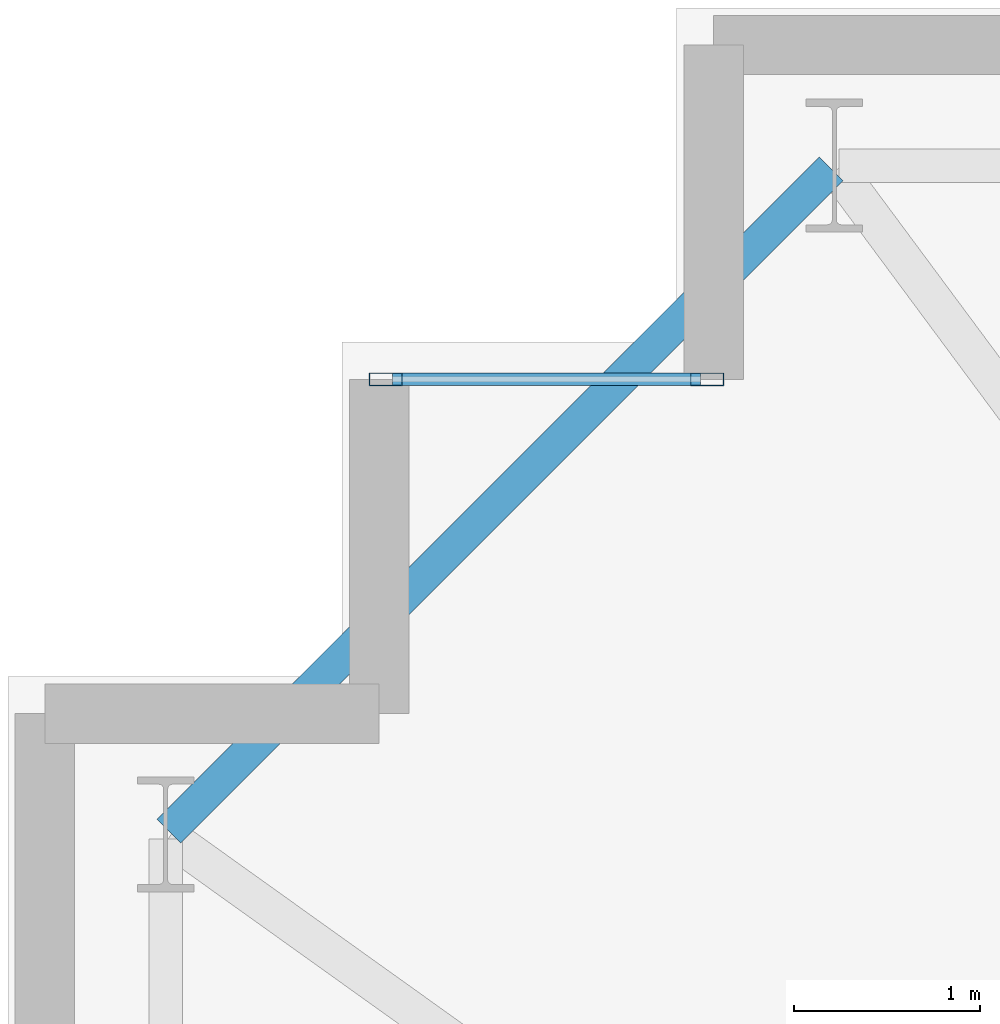
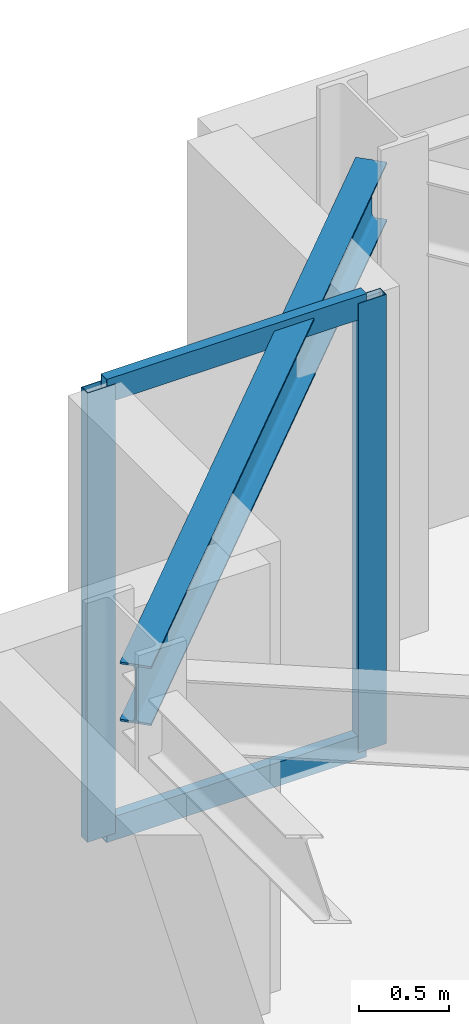
# One storey, part 12 of 26: 4 members, 1 beam, 1 element without a shape of its own.
"""IFC4 building model written with IfcOpenShell, lengths in metres."""

import ifcopenshell
import ifcopenshell.guid

model = None  # the IFC model being written
_history = None  # IfcOwnerHistory: only IFC2X3 demands one
_inside = {}  # id of a spatial element -> (the spatial element, [elements in it])
_under = {}  # id of a project, library or spatial element -> (it, [spatial elements below it])
_declared = {}  # id of a project -> (the project, [libraries it declares])
_typed = {}  # id of a type object -> (the type object, [elements of that type])
_made_of = {}  # id of a material, layer set ... -> (it, [elements and type objects made of it])


def new_model(schema):
    """Start an empty IFC model of exactly this schema.

    Asked for "IFC4X3", IfcOpenShell would pick the latest addendum, in which some entities
    have other attributes; the version numbers below select the first issue.
    IFC2X3 requires an IfcOwnerHistory on every rooted entity: one is made here for all.
    """
    global model, _history
    if schema == "IFC4X3":
        model = ifcopenshell.file(schema_version=(4, 3, 0, 0))
    else:
        model = ifcopenshell.file(schema=schema)
    _inside.clear()
    _under.clear()
    _declared.clear()
    _typed.clear()
    _made_of.clear()
    _history = None
    if model.schema == "IFC2X3":
        org = make("IfcOrganization", Name="unknown")
        user = make(
            "IfcPersonAndOrganization",
            ThePerson=make("IfcPerson", FamilyName="unknown"),
            TheOrganization=org,
        )
        app = make(
            "IfcApplication",
            ApplicationDeveloper=org,
            Version="unknown",
            ApplicationFullName="unknown",
            ApplicationIdentifier="unknown",
        )
        _history = make(
            "IfcOwnerHistory",
            OwningUser=user,
            OwningApplication=app,
            ChangeAction="ADDED",
            CreationDate=0,
        )
    return model


def make(cls, **values):
    """One entity of the class cls with the attributes given. An attribute that is None is left unset."""
    return model.create_entity(
        cls, **{name: value for name, value in values.items() if value is not None}
    )


def rooted(cls, **values):
    """An entity with a GlobalId (a new one), such as an element, a storey or a relation."""
    return make(cls, GlobalId=ifcopenshell.guid.new(), OwnerHistory=_history, **values)


def si_unit(unit_type, name, prefix=None):
    """IfcSIUnit, for example si_unit("LENGTHUNIT", "METRE", prefix="MILLI")."""
    return make("IfcSIUnit", UnitType=unit_type, Prefix=prefix, Name=name)


def assignment(units):
    """IfcUnitAssignment: the units of a project."""
    return None if units is None else make("IfcUnitAssignment", Units=units)


def point(xyz):
    """IfcCartesianPoint."""
    return None if xyz is None else make("IfcCartesianPoint", Coordinates=xyz)


def direction(xyz):
    """IfcDirection."""
    return None if xyz is None else make("IfcDirection", DirectionRatios=xyz)


def frame(location, z_axis=None, x_axis=None):
    """IfcAxis2Placement3D, a coordinate frame: its origin and axes. An axis left out is left unset."""
    return make(
        "IfcAxis2Placement3D",
        Location=point(location),
        Axis=direction(z_axis),
        RefDirection=direction(x_axis),
    )


def frame_2d(location, x_axis=None):
    """IfcAxis2Placement2D, a coordinate frame in the plane: its origin and x axis."""
    return make(
        "IfcAxis2Placement2D", Location=point(location), RefDirection=direction(x_axis)
    )


def origin():
    """The frame at (0, 0, 0) with its axes left unset."""
    return frame((0.0, 0.0, 0.0))


def origin_2d():
    """The frame at (0, 0) in the plane with its x axis left unset."""
    return frame_2d((0.0, 0.0))


def place(relative_to, where):
    """IfcLocalPlacement: puts the frame where relative to a parent placement (None: the world)."""
    return make(
        "IfcLocalPlacement", PlacementRelTo=relative_to, RelativePlacement=where
    )


def context(
    kind, dimensions, precision=None, world=None, true_north=None, identifier=None
):
    """IfcGeometricRepresentationContext, for example the 3D "Model" context."""
    return make(
        "IfcGeometricRepresentationContext",
        ContextIdentifier=identifier,
        ContextType=kind,
        CoordinateSpaceDimension=dimensions,
        Precision=precision,
        WorldCoordinateSystem=world,
        TrueNorth=true_north,
    )


def subcontext(parent, identifier, kind, view, scale=None):
    """IfcGeometricRepresentationSubContext, for example "Body" below "Model"."""
    return make(
        "IfcGeometricRepresentationSubContext",
        ContextIdentifier=identifier,
        ContextType=kind,
        ParentContext=parent,
        TargetScale=scale,
        TargetView=view,
    )


def project(units=None, contexts=None):
    """IfcProject with its units and contexts."""
    return rooted(
        "IfcProject",
        Name="project",
        RepresentationContexts=contexts,
        UnitsInContext=assignment(units),
    )


def spatial(cls, under=None, at=None, **own):
    """A site, building, storey or space (cls), placed at a placement, below another one or the project."""
    s = rooted(cls, ObjectPlacement=at, **own)
    if under is not None:
        _under.setdefault(under.id(), (under, []))[1].append(s)
    return s


def profile(cls, at=None, kind="AREA", **sizes):
    """A parametric profile (cls). Its sizes go by their IFC names, for example OverallWidth=200.0."""
    return make(cls, ProfileType=kind, Position=at, **sizes)


def hollow_rectangle(**sizes):
    """IfcRectangleHollowProfileDef."""
    return profile("IfcRectangleHollowProfileDef", **sizes)


def i_section(**sizes):
    """IfcIShapeProfileDef."""
    return profile("IfcIShapeProfileDef", **sizes)


def extrude(swept, where, along, depth):
    """IfcExtrudedAreaSolid: the profile swept, set in the frame where, extruded along a direction by depth."""
    return make(
        "IfcExtrudedAreaSolid",
        SweptArea=swept,
        Position=where,
        ExtrudedDirection=direction(along),
        Depth=depth,
    )


def shape(context_of_items, identifier, shape_type, items):
    """IfcShapeRepresentation: the items that make up one representation, for example the "Body"."""
    return make(
        "IfcShapeRepresentation",
        ContextOfItems=context_of_items,
        RepresentationIdentifier=identifier,
        RepresentationType=shape_type,
        Items=items,
    )


def material(Name=None, Category=None):
    """IfcMaterial."""
    return make("IfcMaterial", Name=Name, Category=Category)


def layer(
    of_material, thickness, ventilated=None, Name=None, Category=None, Priority=None
):
    """IfcMaterialLayer: one layer of a wall or slab, of a material (None: an air gap)."""
    return make(
        "IfcMaterialLayer",
        Material=of_material,
        LayerThickness=thickness,
        IsVentilated=ventilated,
        Name=Name,
        Category=Category,
        Priority=Priority,
    )


def layer_set(layers, Name=None):
    """IfcMaterialLayerSet."""
    return make("IfcMaterialLayerSet", MaterialLayers=layers, LayerSetName=Name)


def material_profile(
    of_material, cross_section, Name=None, Category=None, Priority=None
):
    """IfcMaterialProfile: a cross section and its material."""
    return make(
        "IfcMaterialProfile",
        Name=Name,
        Material=of_material,
        Profile=cross_section,
        Priority=Priority,
        Category=Category,
    )


def profile_set(profiles, Name=None, composite=None):
    """IfcMaterialProfileSet."""
    return make(
        "IfcMaterialProfileSet",
        Name=Name,
        MaterialProfiles=profiles,
        CompositeProfile=composite,
    )


def made_of(thing, what):
    """Note that an element or type object is made of a material, layer set ...; save() writes the relation."""
    if what is not None:
        _made_of.setdefault(what.id(), (what, []))[1].append(thing)
    return thing


def type_object(cls, material=None, **own):
    """A type object (cls), such as IfcWallType, which elements share."""
    return made_of(rooted(cls, **own), material)


def element(
    cls,
    number,
    at=None,
    inside=None,
    cuts=None,
    type_object=None,
    material=None,
    context=None,
    identifier="Body",
    shape_type=None,
    held_by="IfcProductDefinitionShape",
    body=None,
    shapes=None,
    **own,
):
    """One element of the class cls, such as IfcWall. Its Tag is "e" and its number.

    at: its placement. inside: the storey or other place that contains it. cuts: it is an
    opening in that element (IfcRelVoidsElement). A single representation is given by context,
    identifier, shape_type and body (its items); several are given by shapes. held_by: the class
    of the entity that holds the representations. save() writes the other relations.
    """
    e = rooted(cls, Tag="e%d" % number, ObjectPlacement=at, **own)
    if body is not None:
        shapes = [shape(context, identifier, shape_type, body)]
    if shapes is not None:
        e.Representation = make(held_by, Representations=shapes)
    if inside is not None:
        _inside.setdefault(inside.id(), (inside, []))[1].append(e)
    if cuts is not None:
        rooted(
            "IfcRelVoidsElement", RelatingBuildingElement=cuts, RelatedOpeningElement=e
        )
    if type_object is not None:
        _typed.setdefault(type_object.id(), (type_object, []))[1].append(e)
    return made_of(e, material)


def aggregate(whole, parts):
    """IfcRelAggregates: a whole, such as a stair, and the parts it consists of."""
    return rooted("IfcRelAggregates", RelatingObject=whole, RelatedObjects=parts)


def save(model, path):
    """Write the relations noted so far, then the file.

    IfcRelAggregates (storeys below a building ...), IfcRelContainedInSpatialStructure (elements
    in a storey), IfcRelDefinesByType, IfcRelAssociatesMaterial and IfcRelDeclares: one each for
    every whole, place, type object, material and project.
    """
    for whole, parts in _under.values():
        aggregate(whole, parts)
    for where, things in _inside.values():
        rooted(
            "IfcRelContainedInSpatialStructure",
            RelatedElements=things,
            RelatingStructure=where,
        )
    for kind, things in _typed.values():
        rooted("IfcRelDefinesByType", RelatedObjects=things, RelatingType=kind)
    for what, things in _made_of.values():
        rooted("IfcRelAssociatesMaterial", RelatedObjects=things, RelatingMaterial=what)
    for by, libraries in _declared.values():
        rooted("IfcRelDeclares", RelatingContext=by, RelatedDefinitions=libraries)
    model.write(path)


model = new_model("IFC4")

# Units and contexts
model_context = context("Model", 3, precision=1e-05, world=origin(), true_north=direction((0.0, 1.0)))
body_context = subcontext(model_context, "Body", "Model", "MODEL_VIEW")
ifc_project = project(units=[si_unit("LENGTHUNIT", "METRE"), si_unit("AREAUNIT", "SQUARE_METRE"), si_unit("VOLUMEUNIT", "CUBIC_METRE"), si_unit("PLANEANGLEUNIT", "RADIAN"), si_unit("MASSUNIT", "GRAM", prefix="KILO")], contexts=[model_context])

# Site, building, storey
site_placement = place(None, origin())
site = spatial("IfcSite", under=ifc_project, at=site_placement, CompositionType="ELEMENT")
building_placement = place(site_placement, origin())
building = spatial("IfcBuilding", under=site, at=building_placement, Name="Qobustan Lattice House", CompositionType="ELEMENT")
storey_placement = place(building_placement, frame((0.0, 0.0, 47.10009765625)))
storey = spatial("IfcBuildingStorey", under=building, at=storey_placement, Name="L12", CompositionType="ELEMENT", Elevation=47.10009765625)

# Beam
ifc_material_1 = material(Name="Steel S355", Category="steel")
ifc_material_profile_1 = material_profile(ifc_material_1, i_section(OverallWidth=0.179931640625, OverallDepth=0.39990234375, WebThickness=0.008544921875, FlangeThickness=0.013427734375, FilletRadius=0.02099609375, at=origin_2d()), Name="IPE400")
ifc_profile_set_1 = profile_set([ifc_material_profile_1], Name="Steel S355")
beam_type = type_object("IfcBeamType", Name="BM-SPD-IPE400", PredefinedType="SPANDREL", material=ifc_profile_set_1)
beam_placement = place(storey_placement, frame((-28.567626953125, 18.732421875, 2.8349609375), z_axis=(-0.707106781187, -0.707106781187, 0.0), x_axis=(0.707106781187, -0.707106781187, 0.0)))
element("IfcBeam", 1, at=beam_placement, inside=storey, type_object=beam_type, Name="L12 perimeter spandrel N7-W1", PredefinedType="SPANDREL", context=body_context, shape_type="SweptSolid", body=[
    extrude(i_section(OverallWidth=0.179931640625, OverallDepth=0.39990234375, WebThickness=0.008544921875, FlangeThickness=0.013427734375, FilletRadius=0.02099609375, at=origin_2d()), origin(), (0.0, 0.0, 1.0), 5.041259765625),
])

# Curtain wall, members
ifc_material_2 = material(Name="Anodised aluminium and low-E glazing", Category="aluminium")
ifc_layer = layer(ifc_material_2, 0.219970703125)
ifc_layer_set = layer_set([ifc_layer], Name="Anodised aluminium and low-E glazing")
curtain_wall_type = type_object("IfcCurtainWallType", Name="CW-FAC-01", PredefinedType="USERDEFINED", material=ifc_layer_set)
curtain_wall_placement = place(storey_placement, origin())
curtain_wall = element("IfcCurtainWall", 2, at=curtain_wall_placement, inside=storey, type_object=curtain_wall_type, Name="L12 serrated corner faceted glazing 8", ObjectType="CURTAIN WALL", PredefinedType="USERDEFINED")
ifc_material_3 = material(Name="Anodised aluminium EN AW-6063 T6", Category="aluminium")
ifc_material_profile_2 = material_profile(ifc_material_3, hollow_rectangle(XDim=0.070068359375, YDim=0.179931640625, WallThickness=0.00439453125, at=origin_2d()), Name="CWM-180x70")
ifc_profile_set_2 = profile_set([ifc_material_profile_2], Name="Anodised aluminium EN AW-6063 T6")
member_type_1 = type_object("IfcMemberType", Name="CWM-STD-180", PredefinedType="MULLION", material=ifc_profile_set_2)
member_1_placement = place(storey_placement, frame((-30.965087890625, 17.60009765625, 0.0), z_axis=(0.0, 0.0, 1.0), x_axis=(0.0, 1.0, 0.0)))
member_1 = element("IfcMember", 3, at=member_1_placement, type_object=member_type_1, Name="CW-F1 mullion 1", PredefinedType="MULLION", context=body_context, shape_type="SweptSolid", body=[
    extrude(hollow_rectangle(XDim=0.070068359375, YDim=0.179931640625, WallThickness=0.00439453125, at=origin_2d()), origin(), (0.0, 0.0, 1.0), 3.034912109375),
])
member_2_placement = place(storey_placement, frame((-29.235107421875, 17.60009765625, 0.0), z_axis=(0.0, 0.0, 1.0), x_axis=(0.0, 1.0, 0.0)))
member_2 = element("IfcMember", 4, at=member_2_placement, type_object=member_type_1, Name="CW-F1 mullion 2", PredefinedType="MULLION", context=body_context, shape_type="SweptSolid", body=[
    extrude(hollow_rectangle(XDim=0.070068359375, YDim=0.179931640625, WallThickness=0.00439453125, at=origin_2d()), origin(), (0.0, 0.0, 1.0), 3.034912109375),
])
ifc_material_4 = material(Name="Anodised aluminium EN AW-6063 T6", Category="aluminium")
ifc_material_profile_3 = material_profile(ifc_material_4, hollow_rectangle(XDim=0.06494140625, YDim=0.159912109375, WallThickness=0.00390625, at=origin_2d()), Name="CWT-160x65")
ifc_profile_set_3 = profile_set([ifc_material_profile_3], Name="Anodised aluminium EN AW-6063 T6")
member_type_2 = type_object("IfcMemberType", Name="CWT-HOR-160", PredefinedType="USERDEFINED", material=ifc_profile_set_3)
member_3_placement = place(storey_placement, frame((-30.929931640625, 17.60009765625, 0.032470703125), z_axis=(1.0, 0.0, 0.0), x_axis=(0.0, 1.0, 0.0)))
member_3 = element("IfcMember", 5, at=member_3_placement, type_object=member_type_2, Name="CW-F1 transom 1.1", ObjectType="TRANSOM", PredefinedType="USERDEFINED", context=body_context, shape_type="SweptSolid", body=[
    extrude(hollow_rectangle(XDim=0.06494140625, YDim=0.159912109375, WallThickness=0.00390625, at=origin_2d()), origin(), (0.0, 0.0, 1.0), 1.659912109375),
])
member_4_placement = place(storey_placement, frame((-30.929931640625, 17.60009765625, 3.00244140625), z_axis=(1.0, 0.0, 0.0), x_axis=(0.0, 1.0, 0.0)))
member_4 = element("IfcMember", 6, at=member_4_placement, type_object=member_type_2, Name="CW-F1 transom 1.2", ObjectType="TRANSOM", PredefinedType="USERDEFINED", context=body_context, shape_type="SweptSolid", body=[
    extrude(hollow_rectangle(XDim=0.06494140625, YDim=0.159912109375, WallThickness=0.00390625, at=origin_2d()), origin(), (0.0, 0.0, 1.0), 1.659912109375),
])
aggregate(curtain_wall, [member_1, member_2, member_3, member_4])

save(model, "model.ifc")
